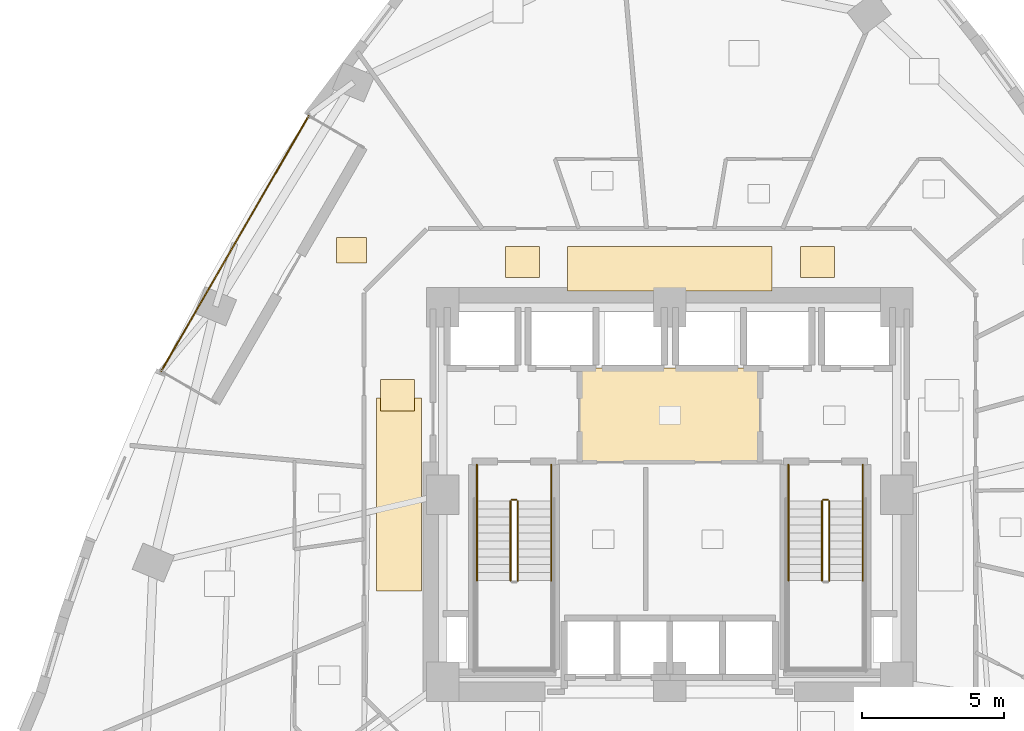
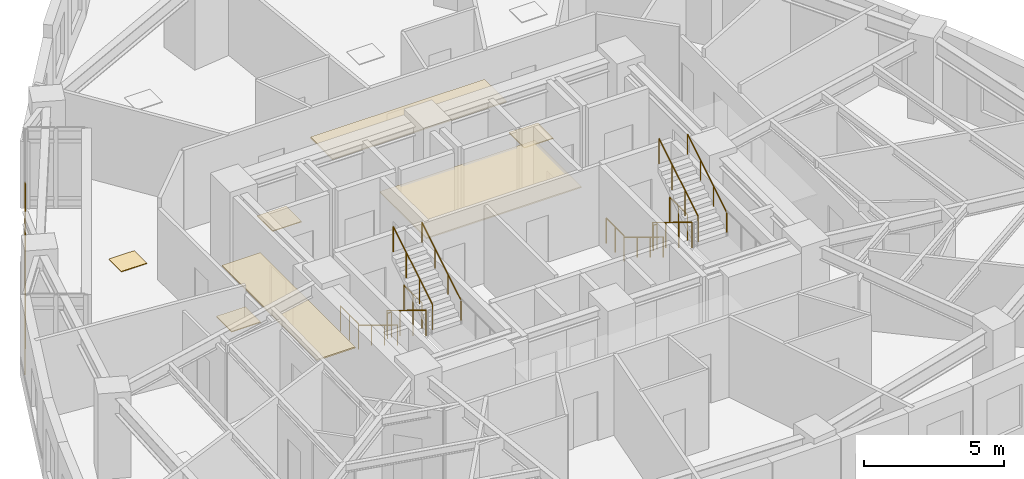
# One storey, part 11 of 12: 15 railings, 7 coverings.
"""IFC4 building model written with IfcOpenShell, lengths in metres."""

from ifc_helpers import new_model, si_unit, direction, frame, origin, origin_2d, place, context, subcontext, project, spatial, rectangle, circle, extrude, material, layer, layer_set, type_object, element, save


model = new_model("IFC4")

# Units and contexts
model_context = context("Model", 3, precision=1e-05, world=origin(), true_north=direction((0.0, 1.0)))
body_context = subcontext(model_context, "Body", "Model", "MODEL_VIEW")
ifc_project = project(units=[si_unit("LENGTHUNIT", "METRE"), si_unit("AREAUNIT", "SQUARE_METRE"), si_unit("VOLUMEUNIT", "CUBIC_METRE"), si_unit("PLANEANGLEUNIT", "RADIAN"), si_unit("MASSUNIT", "GRAM", prefix="KILO")], contexts=[model_context])

# Site, building, storey
site_placement = place(None, origin())
site = spatial("IfcSite", under=ifc_project, at=site_placement, CompositionType="ELEMENT")
building_placement = place(site_placement, origin())
building = spatial("IfcBuilding", under=site, at=building_placement, Name="Ndelora Gate Hotel", CompositionType="ELEMENT")
storey_placement = place(building_placement, frame((0.0, 0.0, 38.0)))
storey = spatial("IfcBuildingStorey", under=building, at=storey_placement, Name="L08", CompositionType="ELEMENT", Elevation=38.0)

# Coverings
ifc_material_1 = material(Name="Perforated Acoustic Gypsum Board", Category="gypsum")
ifc_layer_1 = layer(ifc_material_1, 0.054931640625)
ifc_layer_set_1 = layer_set([ifc_layer_1], Name="Perforated Acoustic Gypsum Board")
covering_type_1 = type_object("IfcCoveringType", Name="COV-CEIL-AC60", PredefinedType="CEILING", material=ifc_layer_set_1)
covering_1_placement = place(storey_placement, frame((0.0, 2.800048828125, 2.72265625), z_axis=(0.0, 0.0, 1.0), x_axis=(1.0, 0.0, 0.0)))
element("IfcCovering", 1, at=covering_1_placement, inside=storey, type_object=covering_type_1, Name="L08 Lift Lobby Acoustic Ceiling", PredefinedType="CEILING", context=body_context, shape_type="SweptSolid", body=[
    extrude(rectangle(XDim=6.39990234375, YDim=3.340087890625, at=origin_2d()), origin(), (0.0, 0.0, 1.0), 0.054931640625),
])
covering_2_placement = place(storey_placement, frame((0.0, 7.9599609375, 2.65234375), z_axis=(0.0, 0.0, 1.0), x_axis=(1.0, 0.0, 0.0)))
element("IfcCovering", 2, at=covering_2_placement, inside=storey, type_object=covering_type_1, Name="L08 Guest Corridor Acoustic Ceiling N", PredefinedType="CEILING", context=body_context, shape_type="SweptSolid", body=[
    extrude(rectangle(XDim=7.199951171875, YDim=1.580078125, at=origin_2d()), origin(), (0.0, 0.0, 1.0), 0.054931640625),
])
covering_3_placement = place(storey_placement, frame((-9.550048828125, 0.0, 2.65234375), z_axis=(0.0, 0.0, 1.0), x_axis=(1.0, 0.0, 0.0)))
element("IfcCovering", 3, at=covering_3_placement, inside=storey, type_object=covering_type_1, Name="L08 Guest Corridor Acoustic Ceiling W", PredefinedType="CEILING", context=body_context, shape_type="SweptSolid", body=[
    extrude(rectangle(XDim=1.580078125, YDim=6.800048828125, at=origin_2d()), origin(), (0.0, 0.0, 1.0), 0.054931640625),
])
ifc_material_2 = material(Name="Engineered Highland Oak Parquet", Category="wood")
ifc_layer_2 = layer(ifc_material_2, 0.030029296875)
ifc_layer_set_2 = layer_set([ifc_layer_2], Name="Engineered Highland Oak Parquet")
covering_type_2 = type_object("IfcCoveringType", Name="COV-FLR-PARQ", PredefinedType="FLOORING", material=ifc_layer_set_2)
covering_4_placement = place(storey_placement, frame((-11.217529296875, 8.6201171875, 0.0), z_axis=(0.0, 0.0, 1.0), x_axis=(1.0, 0.0, 0.0)))
element("IfcCovering", 4, at=covering_4_placement, inside=storey, type_object=covering_type_2, Name="L08 Sky Garden Tea Dining Room Oak Parquet Flooring", PredefinedType="FLOORING", context=body_context, shape_type="SweptSolid", body=[
    extrude(rectangle(XDim=1.050048828125, YDim=0.89990234375, at=origin_2d()), origin(), (0.0, 0.0, 1.0), 0.030029296875),
])
ifc_material_3 = material(Name="Polished Highland Stone Terrazzo", Category="masonry")
ifc_layer_3 = layer(ifc_material_3, 0.034912109375)
ifc_layer_set_3 = layer_set([ifc_layer_3], Name="Polished Highland Stone Terrazzo")
covering_type_3 = type_object("IfcCoveringType", Name="COV-FLR-TERZ", PredefinedType="FLOORING", material=ifc_layer_set_3)
for number, where, z_axis, x_axis, name in (
    (5, (-5.199951171875, 8.199951171875, 0.0), (0.0, 0.0, 1.0), (1.0, 0.0, 0.0), "L08 Corridor Threshold Terrazzo Inlay NW"),
    (6, (5.199951171875, 8.199951171875, 0.0), (0.0, 0.0, 1.0), (1.0, 0.0, 0.0), "L08 Corridor Threshold Terrazzo Inlay NE"),
    (7, (-9.60009765625, 3.5, 0.0), (0.0, 0.0, 1.0), (1.0, 0.0, 0.0), "L08 Corridor Threshold Terrazzo Inlay W"),
):
    element("IfcCovering", number, at=place(storey_placement, frame(where, z_axis=z_axis, x_axis=x_axis)), inside=storey, type_object=covering_type_3, Name=name, PredefinedType="FLOORING", context=body_context, shape_type="SweptSolid", body=[
        extrude(rectangle(XDim=1.199951171875, YDim=1.10009765625, at=origin_2d()), origin(), (0.0, 0.0, 1.0), 0.034912109375),
    ])

# Railings
ifc_material_4 = material(Name="Laminated Safety Glass and Bronze Top Rail", Category="glass")
ifc_layer_4 = layer(ifc_material_4, 0.070068359375)
ifc_layer_set_4 = layer_set([ifc_layer_4], Name="Laminated Safety Glass and Bronze Top Rail")
railing_type_1 = type_object("IfcRailingType", Name="RL-BAL-1150", PredefinedType="BALUSTRADE", material=ifc_layer_set_4)
railing_1_placement = place(storey_placement, frame((-12.730224609375, 13.354248046875, 0.0)))
element("IfcRailing", 8, at=railing_1_placement, inside=storey, type_object=railing_type_1, Name="L08 Sky-Garden Loggia Terrace Balustrade", PredefinedType="BALUSTRADE", context=body_context, shape_type="SweptSolid", body=[
    extrude(circle(Radius=0.02392578125, at=origin_2d()), frame((0.0, 0.0, 1.1357421875), z_axis=(-0.499999493275, -0.866025696342, 0.0), x_axis=(0.866025696342, -0.499999493275, 0.0)), (0.0, 0.0, 1.0), 10.39990234375),
    extrude(circle(Radius=0.02099609375, at=origin_2d()), origin(), (0.0, 0.0, 1.0), 1.11181640625),
    extrude(circle(Radius=0.02099609375, at=origin_2d()), frame((-0.577880859375, -1.000732421875, 0.0)), (0.0, 0.0, 1.0), 1.11181640625),
    extrude(circle(Radius=0.02099609375, at=origin_2d()), frame((-1.155517578125, -2.00146484375, 0.0)), (0.0, 0.0, 1.0), 1.11181640625),
    extrude(circle(Radius=0.02099609375, at=origin_2d()), frame((-1.7333984375, -3.002197265625, 0.0)), (0.0, 0.0, 1.0), 1.11181640625),
    extrude(circle(Radius=0.02099609375, at=origin_2d()), frame((-2.31103515625, -4.0029296875, 0.0)), (0.0, 0.0, 1.0), 1.11181640625),
    extrude(circle(Radius=0.02099609375, at=origin_2d()), frame((-2.888916015625, -5.003662109375, 0.0)), (0.0, 0.0, 1.0), 1.11181640625),
    extrude(circle(Radius=0.02099609375, at=origin_2d()), frame((-3.466552734375, -6.00439453125, 0.0)), (0.0, 0.0, 1.0), 1.11181640625),
    extrude(circle(Radius=0.02099609375, at=origin_2d()), frame((-4.04443359375, -7.005126953125, 0.0)), (0.0, 0.0, 1.0), 1.11181640625),
    extrude(circle(Radius=0.02099609375, at=origin_2d()), frame((-4.6220703125, -8.005859375, 0.0)), (0.0, 0.0, 1.0), 1.11181640625),
    extrude(circle(Radius=0.02099609375, at=origin_2d()), frame((-5.199951171875, -9.006591796875, 0.0)), (0.0, 0.0, 1.0), 1.11181640625),
])
ifc_material_5 = material(Name="Painted Galvanized Steel Balustrade", Category="steel")
ifc_layer_5 = layer(ifc_material_5, 0.06005859375)
ifc_layer_set_5 = layer_set([ifc_layer_5], Name="Painted Galvanized Steel Balustrade")
railing_type_2 = type_object("IfcRailingType", Name="RL-STAIR-GD", PredefinedType="GUARDRAIL", material=ifc_layer_set_5)
railing_2_placement = place(storey_placement, frame((-5.6201171875, -0.22998046875, 0.17041015625)))
element("IfcRailing", 9, at=railing_2_placement, inside=storey, type_object=railing_type_2, Name="L08 ST4 stair guard 1", PredefinedType="GUARDRAIL", context=body_context, shape_type="SweptSolid", body=[
    extrude(circle(Radius=0.02392578125, at=origin_2d()), frame((0.0, 0.0, 1.10595703125), z_axis=(0.0, -0.854169791009, 0.51999420009), x_axis=(1.0, 0.0, 0.0)), (0.0, 0.0, 1.0), 3.278076171875),
    extrude(circle(Radius=0.02099609375, at=origin_2d()), origin(), (0.0, 0.0, 1.0), 1.081787109375),
    extrude(circle(Radius=0.02099609375, at=origin_2d()), frame((0.0, -0.933349609375, 0.568115234375)), (0.0, 0.0, 1.0), 1.081787109375),
    extrude(circle(Radius=0.02099609375, at=origin_2d()), frame((0.0, -1.86669921875, 1.136474609375)), (0.0, 0.0, 1.0), 1.081787109375),
    extrude(circle(Radius=0.02099609375, at=origin_2d()), frame((0.0, -2.800048828125, 1.70458984375)), (0.0, 0.0, 1.0), 1.081787109375),
])
railing_3_placement = place(storey_placement, frame((-5.360107421875, -3.030029296875, 2.04541015625)))
element("IfcRailing", 10, at=railing_3_placement, inside=storey, type_object=railing_type_2, Name="L08 ST4 stair guard 6", PredefinedType="GUARDRAIL", context=body_context, shape_type="SweptSolid", body=[
    extrude(circle(Radius=0.02392578125, at=origin_2d()), frame((0.0, 0.0, 1.10595703125), z_axis=(0.0, 0.854169791009, 0.51999420009), x_axis=(-1.0, 0.0, 0.0)), (0.0, 0.0, 1.0), 3.278076171875),
    extrude(circle(Radius=0.02099609375, at=origin_2d()), origin(), (0.0, 0.0, 1.0), 1.081787109375),
    extrude(circle(Radius=0.02099609375, at=origin_2d()), frame((0.0, 0.933349609375, 0.568115234375)), (0.0, 0.0, 1.0), 1.081787109375),
    extrude(circle(Radius=0.02099609375, at=origin_2d()), frame((0.0, 1.86669921875, 1.136474609375)), (0.0, 0.0, 1.0), 1.081787109375),
    extrude(circle(Radius=0.02099609375, at=origin_2d()), frame((0.0, 2.800048828125, 1.70458984375)), (0.0, 0.0, 1.0), 1.081787109375),
])
railing_4_placement = place(storey_placement, frame((-5.570068359375, -0.179931640625, 0.0)))
element("IfcRailing", 11, at=railing_4_placement, inside=storey, type_object=railing_type_2, Name="L08 ST4 stair guard 7", PredefinedType="GUARDRAIL", context=body_context, shape_type="SweptSolid", body=[
    extrude(circle(Radius=0.02392578125, at=origin_2d()), frame((0.0, 0.0, 1.10595703125), z_axis=(1.0, 0.0, 0.0), x_axis=(0.0, 1.0, 0.0)), (0.0, 0.0, 1.0), 0.16015625),
    extrude(circle(Radius=0.02099609375, at=origin_2d()), origin(), (0.0, 0.0, 1.0), 1.081787109375),
    extrude(circle(Radius=0.02099609375, at=origin_2d()), frame((0.16015625, 0.0, 0.0)), (0.0, 0.0, 1.0), 1.081787109375),
])
for number, where, name in (
    (12, (-6.800048828125, 1.050048828125, 0.0), "L08 ST4 stair guard 8"),
    (13, (-4.179931640625, 1.050048828125, 0.0), "L08 ST4 stair guard 9"),
):
    element("IfcRailing", number, at=place(storey_placement, frame(where)), inside=storey, type_object=railing_type_2, Name=name, PredefinedType="GUARDRAIL", context=body_context, shape_type="SweptSolid", body=[
        extrude(circle(Radius=0.02392578125, at=origin_2d()), frame((0.0, 0.0, 1.10595703125), z_axis=(0.0, -1.0, 0.0), x_axis=(1.0, 0.0, 0.0)), (0.0, 0.0, 1.0), 1.280029296875),
        extrude(circle(Radius=0.02099609375, at=origin_2d()), origin(), (0.0, 0.0, 1.0), 1.081787109375),
        extrude(circle(Radius=0.02099609375, at=origin_2d()), frame((0.0, -0.64013671875, 0.0)), (0.0, 0.0, 1.0), 1.081787109375),
        extrude(circle(Radius=0.02099609375, at=origin_2d()), frame((0.0, -1.280029296875, 0.0)), (0.0, 0.0, 1.0), 1.081787109375),
    ])
railing_5_placement = place(storey_placement, frame((5.360107421875, -0.22998046875, 0.17041015625)))
element("IfcRailing", 14, at=railing_5_placement, inside=storey, type_object=railing_type_2, Name="L08 ST5 stair guard 1", PredefinedType="GUARDRAIL", context=body_context, shape_type="SweptSolid", body=[
    extrude(circle(Radius=0.02392578125, at=origin_2d()), frame((0.0, 0.0, 1.10595703125), z_axis=(0.0, -0.854169791009, 0.51999420009), x_axis=(1.0, 0.0, 0.0)), (0.0, 0.0, 1.0), 3.278076171875),
    extrude(circle(Radius=0.02099609375, at=origin_2d()), origin(), (0.0, 0.0, 1.0), 1.081787109375),
    extrude(circle(Radius=0.02099609375, at=origin_2d()), frame((0.0, -0.933349609375, 0.568115234375)), (0.0, 0.0, 1.0), 1.081787109375),
    extrude(circle(Radius=0.02099609375, at=origin_2d()), frame((0.0, -1.86669921875, 1.136474609375)), (0.0, 0.0, 1.0), 1.081787109375),
    extrude(circle(Radius=0.02099609375, at=origin_2d()), frame((0.0, -2.800048828125, 1.70458984375)), (0.0, 0.0, 1.0), 1.081787109375),
])
railing_6_placement = place(storey_placement, frame((5.6201171875, -3.030029296875, 2.04541015625)))
element("IfcRailing", 15, at=railing_6_placement, inside=storey, type_object=railing_type_2, Name="L08 ST5 stair guard 6", PredefinedType="GUARDRAIL", context=body_context, shape_type="SweptSolid", body=[
    extrude(circle(Radius=0.02392578125, at=origin_2d()), frame((0.0, 0.0, 1.10595703125), z_axis=(0.0, 0.854169791009, 0.51999420009), x_axis=(-1.0, 0.0, 0.0)), (0.0, 0.0, 1.0), 3.278076171875),
    extrude(circle(Radius=0.02099609375, at=origin_2d()), origin(), (0.0, 0.0, 1.0), 1.081787109375),
    extrude(circle(Radius=0.02099609375, at=origin_2d()), frame((0.0, 0.933349609375, 0.568115234375)), (0.0, 0.0, 1.0), 1.081787109375),
    extrude(circle(Radius=0.02099609375, at=origin_2d()), frame((0.0, 1.86669921875, 1.136474609375)), (0.0, 0.0, 1.0), 1.081787109375),
    extrude(circle(Radius=0.02099609375, at=origin_2d()), frame((0.0, 2.800048828125, 1.70458984375)), (0.0, 0.0, 1.0), 1.081787109375),
])
railing_7_placement = place(storey_placement, frame((5.409912109375, -0.179931640625, 0.0)))
element("IfcRailing", 16, at=railing_7_placement, inside=storey, type_object=railing_type_2, Name="L08 ST5 stair guard 7", PredefinedType="GUARDRAIL", context=body_context, shape_type="SweptSolid", body=[
    extrude(circle(Radius=0.02392578125, at=origin_2d()), frame((0.0, 0.0, 1.10595703125), z_axis=(1.0, 0.0, 0.0), x_axis=(0.0, 1.0, 0.0)), (0.0, 0.0, 1.0), 0.16015625),
    extrude(circle(Radius=0.02099609375, at=origin_2d()), origin(), (0.0, 0.0, 1.0), 1.081787109375),
    extrude(circle(Radius=0.02099609375, at=origin_2d()), frame((0.16015625, 0.0, 0.0)), (0.0, 0.0, 1.0), 1.081787109375),
])
for number, where, name in (
    (17, (4.179931640625, 1.050048828125, 0.0), "L08 ST5 stair guard 8"),
    (18, (6.800048828125, 1.050048828125, 0.0), "L08 ST5 stair guard 9"),
):
    element("IfcRailing", number, at=place(storey_placement, frame(where)), inside=storey, type_object=railing_type_2, Name=name, PredefinedType="GUARDRAIL", context=body_context, shape_type="SweptSolid", body=[
        extrude(circle(Radius=0.02392578125, at=origin_2d()), frame((0.0, 0.0, 1.10595703125), z_axis=(0.0, -1.0, 0.0), x_axis=(1.0, 0.0, 0.0)), (0.0, 0.0, 1.0), 1.280029296875),
        extrude(circle(Radius=0.02099609375, at=origin_2d()), origin(), (0.0, 0.0, 1.0), 1.081787109375),
        extrude(circle(Radius=0.02099609375, at=origin_2d()), frame((0.0, -0.64013671875, 0.0)), (0.0, 0.0, 1.0), 1.081787109375),
        extrude(circle(Radius=0.02099609375, at=origin_2d()), frame((0.0, -1.280029296875, 0.0)), (0.0, 0.0, 1.0), 1.081787109375),
    ])
ifc_material_6 = material(Name="Brushed Stainless Steel 316", Category="steel")
ifc_layer_6 = layer(ifc_material_6, 0.050048828125)
ifc_layer_set_6 = layer_set([ifc_layer_6], Name="Brushed Stainless Steel 316")
railing_type_3 = type_object("IfcRailingType", Name="RL-STAIR-HR", PredefinedType="HANDRAIL", material=ifc_layer_set_6)
railing_8_placement = place(storey_placement, frame((-6.800048828125, -0.22998046875, 0.17041015625)))
element("IfcRailing", 19, at=railing_8_placement, inside=storey, type_object=railing_type_3, Name="L08 ST4 stair handrail 1", PredefinedType="HANDRAIL", context=body_context, shape_type="SweptSolid", body=[
    extrude(circle(Radius=0.02392578125, at=origin_2d()), frame((0.0, 0.0, 0.8759765625), z_axis=(0.0, -0.854169791009, 0.51999420009), x_axis=(1.0, 0.0, 0.0)), (0.0, 0.0, 1.0), 3.278076171875),
    extrude(circle(Radius=0.02099609375, at=origin_2d()), origin(), (0.0, 0.0, 1.0), 0.851806640625),
    extrude(circle(Radius=0.02099609375, at=origin_2d()), frame((0.0, -0.933349609375, 0.568115234375)), (0.0, 0.0, 1.0), 0.851806640625),
    extrude(circle(Radius=0.02099609375, at=origin_2d()), frame((0.0, -1.86669921875, 1.136474609375)), (0.0, 0.0, 1.0), 0.851806640625),
    extrude(circle(Radius=0.02099609375, at=origin_2d()), frame((0.0, -2.800048828125, 1.70458984375)), (0.0, 0.0, 1.0), 0.851806640625),
])
railing_9_placement = place(storey_placement, frame((-4.179931640625, -3.030029296875, 2.04541015625)))
element("IfcRailing", 20, at=railing_9_placement, inside=storey, type_object=railing_type_3, Name="L08 ST4 stair handrail 2", PredefinedType="HANDRAIL", context=body_context, shape_type="SweptSolid", body=[
    extrude(circle(Radius=0.02392578125, at=origin_2d()), frame((0.0, 0.0, 0.8759765625), z_axis=(0.0, 0.854169791009, 0.51999420009), x_axis=(-1.0, 0.0, 0.0)), (0.0, 0.0, 1.0), 3.278076171875),
    extrude(circle(Radius=0.02099609375, at=origin_2d()), origin(), (0.0, 0.0, 1.0), 0.851806640625),
    extrude(circle(Radius=0.02099609375, at=origin_2d()), frame((0.0, 0.933349609375, 0.568115234375)), (0.0, 0.0, 1.0), 0.851806640625),
    extrude(circle(Radius=0.02099609375, at=origin_2d()), frame((0.0, 1.86669921875, 1.136474609375)), (0.0, 0.0, 1.0), 0.851806640625),
    extrude(circle(Radius=0.02099609375, at=origin_2d()), frame((0.0, 2.800048828125, 1.70458984375)), (0.0, 0.0, 1.0), 0.851806640625),
])
railing_10_placement = place(storey_placement, frame((4.179931640625, -0.22998046875, 0.17041015625)))
element("IfcRailing", 21, at=railing_10_placement, inside=storey, type_object=railing_type_3, Name="L08 ST5 stair handrail 1", PredefinedType="HANDRAIL", context=body_context, shape_type="SweptSolid", body=[
    extrude(circle(Radius=0.02392578125, at=origin_2d()), frame((0.0, 0.0, 0.8759765625), z_axis=(0.0, -0.854169791009, 0.51999420009), x_axis=(1.0, 0.0, 0.0)), (0.0, 0.0, 1.0), 3.278076171875),
    extrude(circle(Radius=0.02099609375, at=origin_2d()), origin(), (0.0, 0.0, 1.0), 0.851806640625),
    extrude(circle(Radius=0.02099609375, at=origin_2d()), frame((0.0, -0.933349609375, 0.568115234375)), (0.0, 0.0, 1.0), 0.851806640625),
    extrude(circle(Radius=0.02099609375, at=origin_2d()), frame((0.0, -1.86669921875, 1.136474609375)), (0.0, 0.0, 1.0), 0.851806640625),
    extrude(circle(Radius=0.02099609375, at=origin_2d()), frame((0.0, -2.800048828125, 1.70458984375)), (0.0, 0.0, 1.0), 0.851806640625),
])
railing_11_placement = place(storey_placement, frame((6.800048828125, -3.030029296875, 2.04541015625)))
element("IfcRailing", 22, at=railing_11_placement, inside=storey, type_object=railing_type_3, Name="L08 ST5 stair handrail 2", PredefinedType="HANDRAIL", context=body_context, shape_type="SweptSolid", body=[
    extrude(circle(Radius=0.02392578125, at=origin_2d()), frame((0.0, 0.0, 0.8759765625), z_axis=(0.0, 0.854169791009, 0.51999420009), x_axis=(-1.0, 0.0, 0.0)), (0.0, 0.0, 1.0), 3.278076171875),
    extrude(circle(Radius=0.02099609375, at=origin_2d()), origin(), (0.0, 0.0, 1.0), 0.851806640625),
    extrude(circle(Radius=0.02099609375, at=origin_2d()), frame((0.0, 0.933349609375, 0.568115234375)), (0.0, 0.0, 1.0), 0.851806640625),
    extrude(circle(Radius=0.02099609375, at=origin_2d()), frame((0.0, 1.86669921875, 1.136474609375)), (0.0, 0.0, 1.0), 0.851806640625),
    extrude(circle(Radius=0.02099609375, at=origin_2d()), frame((0.0, 2.800048828125, 1.70458984375)), (0.0, 0.0, 1.0), 0.851806640625),
])

save(model, "model.ifc")
